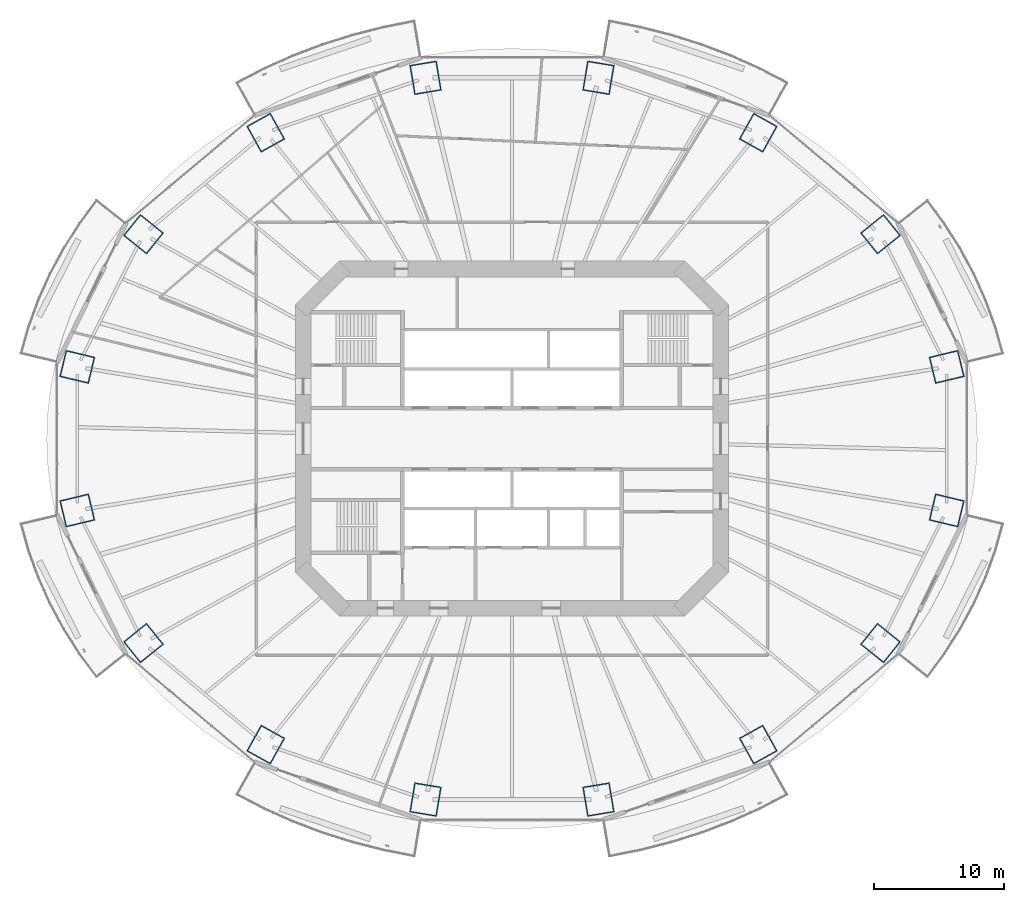
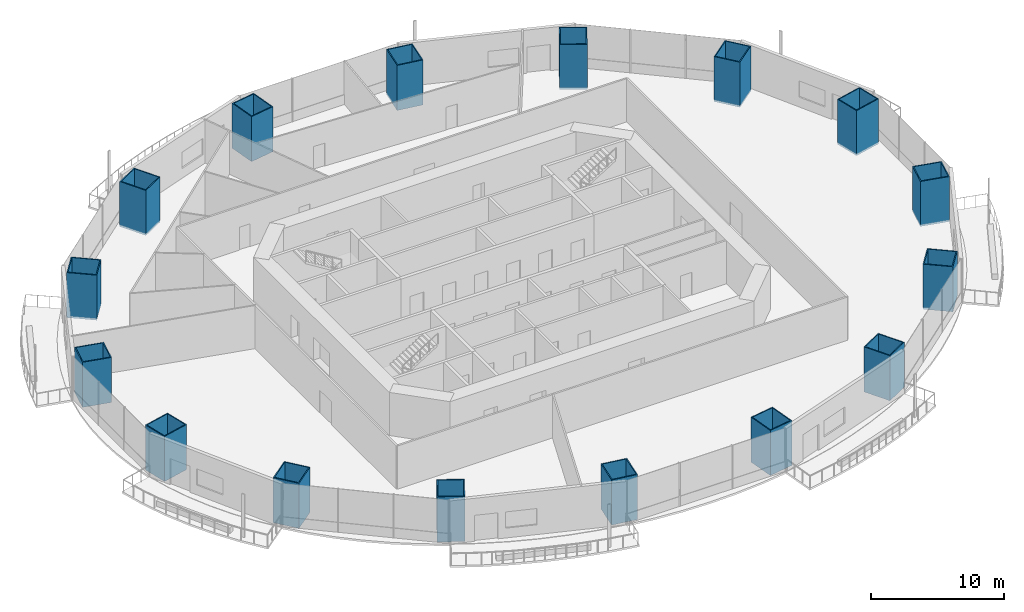
# One storey, part 1 of 22: 16 columns.
"""IFC4 building model written with IfcOpenShell, lengths in metres."""

from ifc_helpers import new_model, si_unit, direction, frame, origin, origin_2d, place, context, subcontext, project, spatial, rectangle, hollow_rectangle, extrude, material, material_profile, profile_set, type_object, element, save


model = new_model("IFC4")

# Units and contexts
model_context = context("Model", 3, precision=1e-05, world=origin(), true_north=direction((0.0, 1.0)))
body_context = subcontext(model_context, "Body", "Model", "MODEL_VIEW")
ifc_project = project(units=[si_unit("LENGTHUNIT", "METRE"), si_unit("AREAUNIT", "SQUARE_METRE"), si_unit("VOLUMEUNIT", "CUBIC_METRE"), si_unit("PLANEANGLEUNIT", "RADIAN"), si_unit("MASSUNIT", "GRAM", prefix="KILO")], contexts=[model_context])

# Site, building, storey
site_placement = place(None, origin())
site = spatial("IfcSite", under=ifc_project, at=site_placement, CompositionType="ELEMENT")
building_placement = place(site_placement, origin())
building = spatial("IfcBuilding", under=site, at=building_placement, Name="Marenthal Gate Tower", CompositionType="ELEMENT")
storey_placement = place(building_placement, frame((0.0, 0.0, 74.5)))
storey = spatial("IfcBuildingStorey", under=building, at=storey_placement, Name="L14", CompositionType="ELEMENT", Elevation=74.5)

# Columns
ifc_material_1 = material(Name="Steel S460", Category="steel")
ifc_material_profile_1 = material_profile(ifc_material_1, hollow_rectangle(XDim=2.10009765625, YDim=2.300048828125, WallThickness=0.0849609375, at=origin_2d()), Name="CFT BOX 2300X2100X85")
ifc_material_2 = material(Name="Concrete 70 MPa", Category="concrete")
ifc_material_profile_2 = material_profile(ifc_material_2, rectangle(XDim=1.929931640625, YDim=2.1298828125, at=origin_2d()), Name="CFT BOX 2300X2100X85 INFILL")
ifc_profile_set = profile_set([ifc_material_profile_1, ifc_material_profile_2], Name="Steel S460 shell, Concrete 70 MPa infill")
column_type = type_object("IfcColumnType", Name="CFT BOX 2300X2100X85", PredefinedType="COLUMN", material=ifc_profile_set)
for number, where, z_axis, x_axis, name in (
    (1, (33.3203125, 5.502197265625, -0.179931640625), (0.0, 0.0, 1.0), (0.233004092362, -0.972475754424, 0.0), "COL-L14-01"),
    (2, (28.24755859375, 15.669189453125, -0.179931640625), (0.0, 0.0, 1.0), (0.626996829827, -0.779021806747, 0.0), "COL-L14-02"),
    (3, (18.87451171875, 23.45068359375, -0.179931640625), (0.0, 0.0, 1.0), (0.874469049806, -0.485081313732, 0.0), "COL-L14-03"),
    (4, (6.627685546875, 27.662109375, -0.179931640625), (0.0, 0.0, 1.0), (0.986637929724, -0.162928191637, 0.0), "COL-L14-04"),
    (5, (-6.627685546875, 27.662109375, -0.179931640625), (0.0, 0.0, 1.0), (0.986637929724, 0.162928191637, 0.0), "COL-L14-05"),
    (6, (-18.87451171875, 23.45068359375, -0.179931640625), (0.0, 0.0, 1.0), (0.874469049806, 0.485081313732, 0.0), "COL-L14-06"),
    (7, (-28.24755859375, 15.669189453125, -0.179931640625), (0.0, 0.0, 1.0), (0.626996829827, 0.779021806747, 0.0), "COL-L14-07"),
    (8, (-33.3203125, 5.502197265625, -0.179931640625), (0.0, 0.0, 1.0), (0.233004092362, 0.972475754424, 0.0), "COL-L14-08"),
    (9, (-33.3203125, -5.502197265625, -0.179931640625), (0.0, 0.0, 1.0), (-0.233004092362, 0.972475754424, 0.0), "COL-L14-09"),
    (10, (-28.24755859375, -15.669189453125, -0.179931640625), (0.0, 0.0, 1.0), (-0.626996829827, 0.779021806747, 0.0), "COL-L14-10"),
    (11, (-18.87451171875, -23.45068359375, -0.179931640625), (0.0, 0.0, 1.0), (-0.874469049806, 0.485081313732, 0.0), "COL-L14-11"),
    (12, (-6.627685546875, -27.662109375, -0.179931640625), (0.0, 0.0, 1.0), (-0.986637929724, 0.162928191637, 0.0), "COL-L14-12"),
    (13, (6.627685546875, -27.662109375, -0.179931640625), (0.0, 0.0, 1.0), (-0.986637929724, -0.162928191637, 0.0), "COL-L14-13"),
    (14, (18.87451171875, -23.45068359375, -0.179931640625), (0.0, 0.0, 1.0), (-0.874469049806, -0.485081313732, 0.0), "COL-L14-14"),
    (15, (28.24755859375, -15.669189453125, -0.179931640625), (0.0, 0.0, 1.0), (-0.626996829827, -0.779021806747, 0.0), "COL-L14-15"),
    (16, (33.3203125, -5.502197265625, -0.179931640625), (0.0, 0.0, 1.0), (-0.233004092362, -0.972475754424, 0.0), "COL-L14-16"),
):
    element("IfcColumn", number, at=place(storey_placement, frame(where, z_axis=z_axis, x_axis=x_axis)), inside=storey, type_object=column_type, Name=name, PredefinedType="COLUMN", context=body_context, shape_type="SweptSolid", body=[
        extrude(hollow_rectangle(XDim=2.10009765625, YDim=2.300048828125, WallThickness=0.0849609375, at=origin_2d()), origin(), (0.0, 0.0, 1.0), 4.14990234375),
    ])

save(model, "model.ifc")
